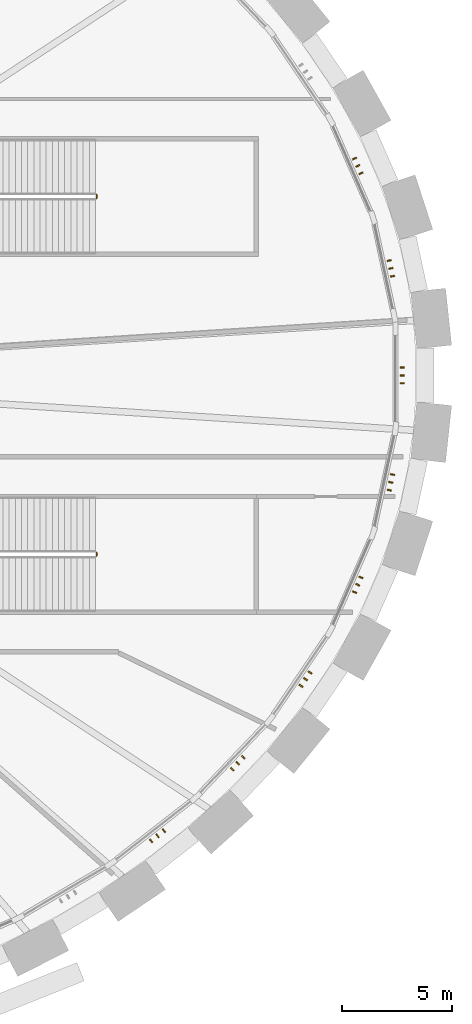
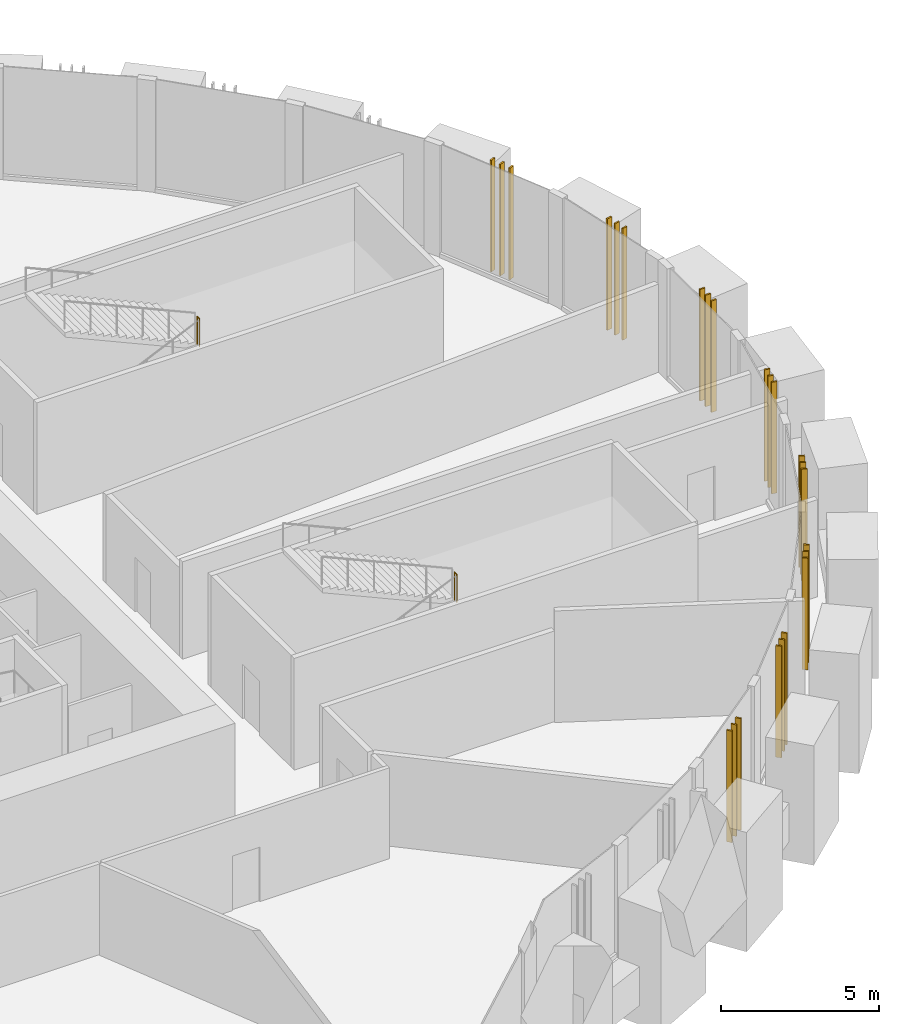
# One storey, part 20 of 21: 24 shading devices, 2 railings.
"""IFC4 building model written with IfcOpenShell, lengths in metres."""

from ifc_helpers import new_model, si_unit, direction, frame, origin, origin_2d, place, context, subcontext, project, spatial, rectangle, circle, extrude, source, transform, mapped, material, material_profile, profile_set, type_object, element, save


model = new_model("IFC4")

# Units and contexts
model_context = context("Model", 3, precision=1e-05, world=origin(), true_north=direction((0.0, 1.0)))
body_context = subcontext(model_context, "Body", "Model", "MODEL_VIEW")
ifc_project = project(units=[si_unit("LENGTHUNIT", "METRE"), si_unit("AREAUNIT", "SQUARE_METRE"), si_unit("VOLUMEUNIT", "CUBIC_METRE"), si_unit("PLANEANGLEUNIT", "RADIAN"), si_unit("MASSUNIT", "GRAM", prefix="KILO")], contexts=[model_context])

# Site, building, storey
site_placement = place(None, origin())
site = spatial("IfcSite", under=ifc_project, at=site_placement, CompositionType="ELEMENT")
building_placement = place(site_placement, origin())
building = spatial("IfcBuilding", under=site, at=building_placement, Name="Embergate Tower", CompositionType="ELEMENT")
storey_placement = place(building_placement, frame((0.0, 0.0, 33.5)))
storey = spatial("IfcBuildingStorey", under=building, at=storey_placement, Name="L04", CompositionType="ELEMENT", Elevation=33.5)

# Shading devices
ifc_material_1 = material(Name="Terracotta, extruded and glazed", Category="masonry")
ifc_material_profile = material_profile(ifc_material_1, rectangle(XDim=0.18994140625, YDim=0.06005859375, at=origin_2d()), Name="TC 190x60")
ifc_profile_set = profile_set([ifc_material_profile], Name="Terracotta, extruded and glazed")
shading_device_type = type_object("IfcShadingDeviceType", Name="Terracotta fin", PredefinedType="USERDEFINED", material=ifc_profile_set)
shared_shape_1 = source(origin(), body_context, "Body", "SweptSolid", [
    extrude(rectangle(XDim=0.18994140625, YDim=0.06005859375, at=origin_2d()), origin(), (0.0, 0.0, 1.0), 4.300048828125),
])
for number, where, z_axis, x_axis, name in (
    (1, (38.30419921875, 4.504150390625, 0.0), (0.0, 0.0, 1.0), (-0.977615363524, -0.210400097438, 0.0), "Fin 1.1"),
    (2, (38.22802734375, 4.8583984375, 0.0), (0.0, 0.0, 1.0), (-0.977615363524, -0.210400097438, 0.0), "Fin 1.2"),
    (3, (38.15185546875, 5.212890625, 0.0), (0.0, 0.0, 1.0), (-0.977615363524, -0.210400097438, 0.0), "Fin 1.3"),
    (4, (36.869873046875, 9.177978515625, 0.0), (0.0, 0.0, 1.0), (-0.915790926844, -0.401655297873, 0.0), "Fin 2.1"),
    (5, (36.723388671875, 9.51171875, 0.0), (0.0, 0.0, 1.0), (-0.915790926844, -0.401655297873, 0.0), "Fin 2.2"),
    (6, (36.5771484375, 9.845458984375, 0.0), (0.0, 0.0, 1.0), (-0.915790926844, -0.401655297873, 0.0), "Fin 2.3"),
    (7, (27.33642578125, -21.13818359375, 0.0), (0.0, 0.0, 1.0), (-0.615262548398, 0.788322266931, 0.0), "Fin 39.1"),
    (8, (27.62890625, -20.909912109375, 0.0), (0.0, 0.0, 1.0), (-0.615262548398, 0.788322266931, 0.0), "Fin 39.2"),
    (9, (27.92138671875, -20.681396484375, 0.0), (0.0, 0.0, 1.0), (-0.615262548398, 0.788322266931, 0.0), "Fin 39.3"),
    (10, (31.01513671875, -17.8798828125, 0.0), (0.0, 0.0, 1.0), (-0.723678194673, 0.690137573644, 0.0), "Fin 40.1"),
    (11, (31.269775390625, -17.61279296875, 0.0), (0.0, 0.0, 1.0), (-0.723678194673, 0.690137573644, 0.0), "Fin 40.2"),
    (12, (31.5244140625, -17.345703125, 0.0), (0.0, 0.0, 1.0), (-0.723678194673, 0.690137573644, 0.0), "Fin 40.3"),
    (13, (34.146240234375, -14.1005859375, 0.0), (0.0, 0.0, 1.0), (-0.826901986809, 0.562346071572, 0.0), "Fin 41.1"),
    (14, (34.352294921875, -13.797119140625, 0.0), (0.0, 0.0, 1.0), (-0.826901986809, 0.562346071572, 0.0), "Fin 41.2"),
    (15, (34.55859375, -13.493896484375, 0.0), (0.0, 0.0, 1.0), (-0.826901986809, 0.562346071572, 0.0), "Fin 41.3"),
    (16, (36.5771484375, -9.845458984375, 0.0), (0.0, 0.0, 1.0), (-0.915790926844, 0.401655297873, 0.0), "Fin 42.1"),
    (17, (36.723388671875, -9.51171875, 0.0), (0.0, 0.0, 1.0), (-0.915790926844, 0.401655297873, 0.0), "Fin 42.2"),
    (18, (36.869873046875, -9.177978515625, 0.0), (0.0, 0.0, 1.0), (-0.915790926844, 0.401655297873, 0.0), "Fin 42.3"),
    (19, (38.15185546875, -5.212890625, 0.0), (0.0, 0.0, 1.0), (-0.977615363524, 0.210400097438, 0.0), "Fin 43.1"),
    (20, (38.22802734375, -4.8583984375, 0.0), (0.0, 0.0, 1.0), (-0.977615363524, 0.210400097438, 0.0), "Fin 43.2"),
    (21, (38.30419921875, -4.504150390625, 0.0), (0.0, 0.0, 1.0), (-0.977615363524, 0.210400097438, 0.0), "Fin 43.3"),
    (22, (38.7451171875, -0.36181640625, 0.0), (0.0, 0.0, 1.0), (-1.0, 0.0, 0.0), "Fin 44.1"),
    (23, (38.7451171875, 0.0, 0.0), (0.0, 0.0, 1.0), (-1.0, 0.0, 0.0), "Fin 44.2"),
    (24, (38.7451171875, 0.36181640625, 0.0), (0.0, 0.0, 1.0), (-1.0, 0.0, 0.0), "Fin 44.3"),
):
    element("IfcShadingDevice", number, at=place(storey_placement, frame(where, z_axis=z_axis, x_axis=x_axis)), inside=storey, type_object=shading_device_type, Name=name, ObjectType="FIN", PredefinedType="USERDEFINED", context=body_context, shape_type="MappedRepresentation", body=[
        mapped(shared_shape_1, transform((0.0, 0.0, 0.0))),
    ])

# Railings
ifc_material_2 = material(Name="Steel", Category="steel")
railing_type = type_object("IfcRailingType", Name="Podium stair guard 1100", PredefinedType="GUARDRAIL", material=ifc_material_2)
shared_shape_2 = source(origin(), body_context, "Body", "SweptSolid", [
    extrude(circle(Radius=0.02392578125, at=origin_2d()), frame((0.0, 0.0, 1.076171875), z_axis=(0.0, 1.0, 0.0), x_axis=(-1.0, 0.0, 0.0)), (0.0, 0.0, 1.0), 0.14990234375),
    extrude(circle(Radius=0.02099609375, at=origin_2d()), origin(), (0.0, 0.0, 1.0), 1.052001953125),
    extrude(circle(Radius=0.02099609375, at=origin_2d()), frame((0.0, 0.14990234375, 0.0)), (0.0, 0.0, 1.0), 1.052001953125),
])
for number, where, name in (
    (25, (24.860107421875, 8.050048828125, 2.25), "L04 P1 stair guard 2"),
    (26, (24.860107421875, -8.199951171875, 2.25), "L04 P2 stair guard 2"),
):
    element("IfcRailing", number, at=place(storey_placement, frame(where)), inside=storey, type_object=railing_type, Name=name, PredefinedType="GUARDRAIL", context=body_context, shape_type="MappedRepresentation", body=[
        mapped(shared_shape_2, transform((0.0, 0.0, 0.0))),
    ])

save(model, "model.ifc")
